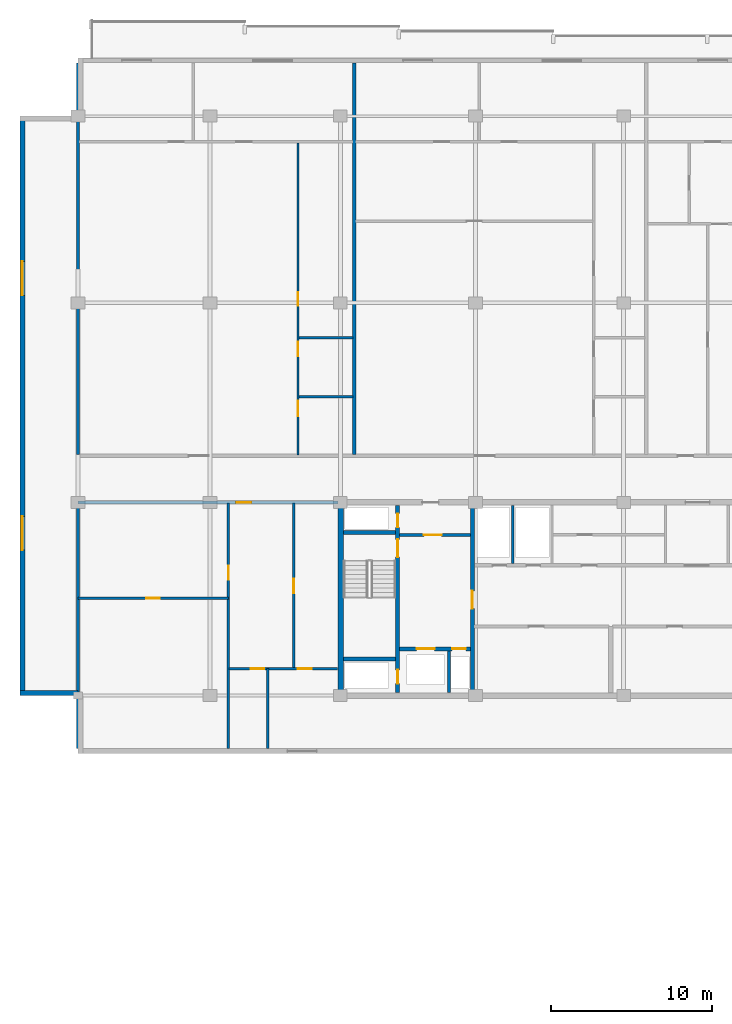
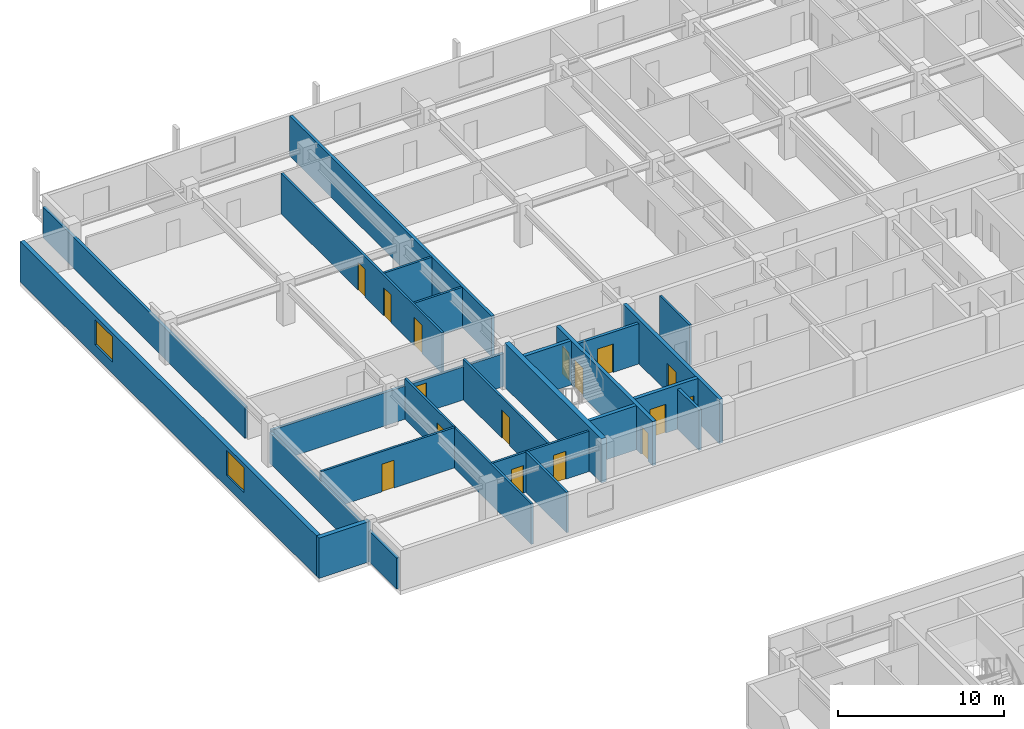
# One storey, part 10 of 21: 23 walls, 16 doors, 2 windows, 18 openings.
"""IFC4 building model written with IfcOpenShell, lengths in metres."""

from ifc_helpers import new_model, si_unit, direction, frame, frame_2d, origin, place, context, subcontext, project, spatial, rectangle, extrude, material, layer, layer_set, type_object, element, fill, save


model = new_model("IFC4")

# Units and contexts
model_context = context("Model", 3, precision=1e-05, world=origin(), true_north=direction((0.0, 1.0)))
body_context = subcontext(model_context, "Body", "Model", "MODEL_VIEW")
ifc_project = project(units=[si_unit("LENGTHUNIT", "METRE"), si_unit("AREAUNIT", "SQUARE_METRE"), si_unit("VOLUMEUNIT", "CUBIC_METRE"), si_unit("PLANEANGLEUNIT", "RADIAN"), si_unit("MASSUNIT", "GRAM", prefix="KILO")], contexts=[model_context])

# Site, building, storey
site_placement = place(None, origin())
site = spatial("IfcSite", under=ifc_project, at=site_placement, CompositionType="ELEMENT")
building_placement = place(site_placement, origin())
building = spatial("IfcBuilding", under=site, at=building_placement, Name="Korimba Cascade Residences", CompositionType="ELEMENT")
storey_placement = place(building_placement, frame((0.0, 0.0, 184.85009765625)))
storey = spatial("IfcBuildingStorey", under=building, at=storey_placement, Name="L53", CompositionType="ELEMENT", Elevation=184.85009765625)

# Wall, openings, windows
ifc_material_1 = material(Name="Precast concrete C40/50", Category="concrete")
ifc_layer_1 = layer(ifc_material_1, 0.300048828125)
ifc_layer_set_1 = layer_set([ifc_layer_1], Name="Precast concrete C40/50")
wall_type_1 = type_object("IfcWallType", Name="EW-STONE-300", PredefinedType="STANDARD", material=ifc_layer_set_1)
wall_1_placement = place(storey_placement, frame((56.35009765625, 91.199951171875, 0.0), z_axis=(0.0, 0.0, 1.0), x_axis=(0.0, -1.0, 0.0)))
wall_1 = element("IfcWall", 1, at=wall_1_placement, inside=storey, type_object=wall_type_1, Name="L53 T1 Perimeter Stone Wall E09", PredefinedType="STANDARD", context=body_context, shape_type="SweptSolid", body=[
    extrude(rectangle(XDim=36.0, YDim=0.300048828125, at=frame_2d((18.0, 0.0))), origin(), (0.0, 0.0, 1.0), 2.969970703125),
])
opening_1_placement = place(wall_1_placement, frame((9.030029296875, 0.0, 0.85009765625)))
opening_1 = element("IfcOpeningElement", 2, at=opening_1_placement, cuts=wall_1, Name="Opening W-03", PredefinedType="OPENING", context=body_context, shape_type="SweptSolid", body=[
    extrude(rectangle(XDim=2.10009765625, YDim=1.85009765625, at=frame_2d((1.050048828125, 0.925048828125))), frame((0.0, 0.16015625, 0.0), z_axis=(0.0, -1.0, 0.0), x_axis=(1.0, 0.0, 0.0)), (0.0, 0.0, 1.0), 0.320068359375),
])
opening_2_placement = place(wall_1_placement, frame((24.8701171875, 0.0, 0.85009765625)))
opening_2 = element("IfcOpeningElement", 3, at=opening_2_placement, cuts=wall_1, Name="Opening W-03", PredefinedType="OPENING", context=body_context, shape_type="SweptSolid", body=[
    extrude(rectangle(XDim=2.10009765625, YDim=1.85009765625, at=frame_2d((1.050048828125, 0.925048828125))), frame((0.0, 0.16015625, 0.0), z_axis=(0.0, -1.0, 0.0), x_axis=(1.0, 0.0, 0.0)), (0.0, 0.0, 1.0), 0.320068359375),
])
ifc_material_2 = material(Name="Double-Glazed Aluminium Window", Category="aluminium")
window_type = type_object("IfcWindowType", Name="WIN-CRN-2100", PartitioningType="DOUBLE_PANEL_HORIZONTAL", PredefinedType="WINDOW", material=ifc_material_2)
window_1_placement = place(opening_1_placement, origin())
window_1 = element("IfcWindow", 4, at=window_1_placement, inside=storey, type_object=window_type, Name="L53 T1 End View Window 9.1", OverallHeight=1.85009765625, OverallWidth=2.10009765625, PartitioningType="DOUBLE_PANEL_HORIZONTAL", PredefinedType="WINDOW", context=body_context, shape_type="SweptSolid", body=[
    extrude(rectangle(XDim=2.10009765625, YDim=1.85009765625, at=frame_2d((1.050048828125, 0.925048828125))), frame((0.0, 0.030029296875, 0.0), z_axis=(0.0, -1.0, 0.0), x_axis=(1.0, 0.0, 0.0)), (0.0, 0.0, 1.0), 0.06005859375),
])
fill(opening_1, window_1)
window_2_placement = place(opening_2_placement, origin())
window_2 = element("IfcWindow", 5, at=window_2_placement, inside=storey, type_object=window_type, Name="L53 T1 End View Window 9.2", OverallHeight=1.85009765625, OverallWidth=2.10009765625, PartitioningType="DOUBLE_PANEL_HORIZONTAL", PredefinedType="WINDOW", context=body_context, shape_type="SweptSolid", body=[
    extrude(rectangle(XDim=2.10009765625, YDim=1.85009765625, at=frame_2d((1.050048828125, 0.925048828125))), frame((0.0, 0.030029296875, 0.0), z_axis=(0.0, -1.0, 0.0), x_axis=(1.0, 0.0, 0.0)), (0.0, 0.0, 1.0), 0.06005859375),
])
fill(opening_2, window_2)

# Walls
wall_2_placement = place(storey_placement, frame((56.199951171875, 55.35009765625, 0.0), z_axis=(0.0, 0.0, 1.0), x_axis=(1.0, 0.0, 0.0)))
element("IfcWall", 6, at=wall_2_placement, inside=storey, type_object=wall_type_1, Name="L53 T1 Perimeter Stone Wall E10", PredefinedType="STANDARD", context=body_context, shape_type="SweptSolid", body=[
    extrude(rectangle(XDim=3.60009765625, YDim=0.300048828125, at=frame_2d((1.800048828125, 0.0))), origin(), (0.0, 0.0, 1.0), 2.969970703125),
])
ifc_material_3 = material(Name="Concrete C65/80", Category="concrete")
ifc_layer_2 = layer(ifc_material_3, 0.35009765625)
ifc_layer_set_2 = layer_set([ifc_layer_2], Name="Concrete C65/80")
wall_type_2 = type_object("IfcWallType", Name="WAL-CORE-350", PredefinedType="SHEAR", material=ifc_layer_set_2)
wall_3_placement = place(storey_placement, frame((76.125, 55.375, 0.0), z_axis=(0.0, 0.0, 1.0), x_axis=(0.0, 1.0, 0.0)))
element("IfcWall", 7, at=wall_3_placement, inside=storey, type_object=wall_type_2, Name="L53 Core Shear Wall CW-L53-T1-W", PredefinedType="SHEAR", context=body_context, shape_type="SweptSolid", body=[
    extrude(rectangle(XDim=11.64990234375, YDim=0.35009765625, at=frame_2d((5.824951171875, 0.0))), origin(), (0.0, 0.0, 1.0), 3.25),
])
ifc_layer_3 = layer(ifc_material_1, 0.199951171875)
ifc_layer_set_3 = layer_set([ifc_layer_3], Name="Precast concrete C40/50")
wall_type_3 = type_object("IfcWallType", Name="WAL-IT-200", PredefinedType="PARTITIONING", material=ifc_layer_set_3)
wall_4_placement = place(storey_placement, frame((59.800048828125, 51.89990234375, 0.0), z_axis=(0.0, 0.0, 1.0), x_axis=(0.0, 1.0, 0.0)))
element("IfcWall", 8, at=wall_4_placement, inside=storey, type_object=wall_type_3, Name="L53 Partition Wall WAL-L53-T1-FW-WL", PredefinedType="PARTITIONING", context=body_context, shape_type="SweptSolid", body=[
    extrude(rectangle(XDim=15.300048828125, YDim=0.199951171875, at=frame_2d((7.64990234375, 0.0))), origin(), (0.0, 0.0, 1.0), 2.277099609375),
])

# Wall, opening, door
wall_5_placement = place(storey_placement, frame((59.800048828125, 67.199951171875, 0.0), z_axis=(0.0, 0.0, 1.0), x_axis=(1.0, 0.0, 0.0)))
wall_5 = element("IfcWall", 9, at=wall_5_placement, inside=storey, type_object=wall_type_3, Name="L53 Partition Wall WAL-L53-T1-FW-N", PredefinedType="PARTITIONING", context=body_context, shape_type="SweptSolid", body=[
    extrude(rectangle(XDim=16.14990234375, YDim=0.199951171875, at=frame_2d((8.074951171875, 0.0))), origin(), (0.0, 0.0, 1.0), 2.43310546875),
])
opening_3_placement = place(wall_5_placement, frame((9.823486328125, 0.0, 0.0)))
opening_3 = element("IfcOpeningElement", 10, at=opening_3_placement, cuts=wall_5, Name="Opening D-UN1", PredefinedType="OPENING", context=body_context, shape_type="SweptSolid", body=[
    extrude(rectangle(XDim=0.949951171875, YDim=2.14990234375, at=frame_2d((0.47509765625, 1.074951171875))), frame((0.0, 0.10986328125, 0.0), z_axis=(0.0, -1.0, 0.0), x_axis=(1.0, 0.0, 0.0)), (0.0, 0.0, 1.0), 0.219970703125),
])
ifc_material_4 = material(Name="Fire-Rated Hardwood Apartment Entrance Door", Category="wood")
door_type_1 = type_object("IfcDoorType", Name="DR-FD60-950", OperationType="NOTDEFINED", PredefinedType="DOOR", material=ifc_material_4)
door_1_placement = place(opening_3_placement, origin())
door_1 = element("IfcDoor", 11, at=door_1_placement, inside=storey, type_object=door_type_1, Name="L53-T1-FW Entrance Door", OperationType="SINGLE_SWING_LEFT", OverallHeight=2.14990234375, OverallWidth=0.949951171875, PredefinedType="DOOR", context=body_context, shape_type="SweptSolid", body=[
    extrude(rectangle(XDim=0.949951171875, YDim=2.14990234375, at=frame_2d((0.47509765625, 1.074951171875))), frame((0.0, 0.02490234375, 0.0), z_axis=(0.0, -1.0, 0.0), x_axis=(1.0, 0.0, 0.0)), (0.0, 0.0, 1.0), 0.050048828125),
])
fill(opening_3, door_1)

# Walls
wall_6_placement = place(storey_placement, frame((59.800048828125, 70.179931640625, 0.0), z_axis=(0.0, 0.0, 1.0), x_axis=(0.0, 1.0, 0.0)))
element("IfcWall", 12, at=wall_6_placement, inside=storey, type_object=wall_type_3, Name="L53 Partition Wall WAL-L53-T1-BNDWL", PredefinedType="PARTITIONING", context=body_context, shape_type="SweptSolid", body=[
    extrude(rectangle(XDim=24.320068359375, YDim=0.199951171875, at=frame_2d((12.16015625, 0.0))), origin(), (0.0, 0.0, 1.0), 2.277099609375),
])
wall_7_placement = place(storey_placement, frame((76.96826171875, 70.179931640625, 0.0), z_axis=(0.0, 0.0, 1.0), x_axis=(0.0, 1.0, 0.0)))
element("IfcWall", 13, at=wall_7_placement, inside=storey, type_object=wall_type_3, Name="L53 Partition Wall WAL-L53-T1-DEM-1", PredefinedType="PARTITIONING", context=body_context, shape_type="SweptSolid", body=[
    extrude(rectangle(XDim=24.320068359375, YDim=0.199951171875, at=frame_2d((12.16015625, 0.0))), origin(), (0.0, 0.0, 1.0), 2.969970703125),
])
ifc_material_5 = material(Name="Insulated Acoustic Stud Partition", Category="gypsum")
ifc_layer_4 = layer(ifc_material_5, 0.14990234375)
ifc_layer_set_4 = layer_set([ifc_layer_4], Name="Insulated Acoustic Stud Partition")
wall_type_4 = type_object("IfcWallType", Name="WAL-PART-150", PredefinedType="PARTITIONING", material=ifc_layer_set_4)
wall_8_placement = place(storey_placement, frame((86.800048828125, 63.39990234375, 0.0), z_axis=(0.0, 0.0, 1.0), x_axis=(0.0, 1.0, 0.0)))
element("IfcWall", 14, at=wall_8_placement, inside=storey, type_object=wall_type_4, Name="L53 Partition Wall CW-L53-T1-ERDIV", PredefinedType="PARTITIONING", context=body_context, shape_type="SweptSolid", body=[
    extrude(rectangle(XDim=3.60009765625, YDim=0.14990234375, at=frame_2d((1.800048828125, 0.0))), origin(), (0.0, 0.0, 1.0), 2.969970703125),
])

# Wall, opening, door
wall_9_placement = place(storey_placement, frame((59.800048828125, 61.25, 0.0), z_axis=(0.0, 0.0, 1.0), x_axis=(1.0, 0.0, 0.0)))
wall_9 = element("IfcWall", 15, at=wall_9_placement, inside=storey, type_object=wall_type_4, Name="L53 Partition Wall WAL-L53-T1-FW-STH", PredefinedType="PARTITIONING", context=body_context, shape_type="SweptSolid", body=[
    extrude(rectangle(XDim=9.349853515625, YDim=0.14990234375, at=frame_2d((4.6748046875, 0.0))), origin(), (0.0, 0.0, 1.0), 2.969970703125),
])
opening_4_placement = place(wall_9_placement, frame((4.2548828125, 0.0, 0.0)))
opening_4 = element("IfcOpeningElement", 16, at=opening_4_placement, cuts=wall_9, Name="Opening D-BT1", PredefinedType="OPENING", context=body_context, shape_type="SweptSolid", body=[
    extrude(rectangle(XDim=0.840087890625, YDim=2.0400390625, at=frame_2d((0.419921875, 1.02001953125))), frame((0.0, 0.0849609375, 0.0), z_axis=(0.0, -1.0, 0.0), x_axis=(1.0, 0.0, 0.0)), (0.0, 0.0, 1.0), 0.169921875),
])
ifc_material_6 = material(Name="Moisture-Resistant Bathroom Timber Door", Category="wood")
door_type_2 = type_object("IfcDoorType", Name="DR-INT-850", OperationType="NOTDEFINED", PredefinedType="DOOR", material=ifc_material_6)
door_2_placement = place(opening_4_placement, origin())
door_2 = element("IfcDoor", 17, at=door_2_placement, inside=storey, type_object=door_type_2, Name="L53-T1-FW Dressing Store Door", OperationType="SINGLE_SWING_RIGHT", OverallHeight=2.0400390625, OverallWidth=0.840087890625, PredefinedType="DOOR", context=body_context, shape_type="SweptSolid", body=[
    extrude(rectangle(XDim=0.840087890625, YDim=2.0400390625, at=frame_2d((0.419921875, 1.02001953125))), frame((0.0, 0.02490234375, 0.0), z_axis=(0.0, -1.0, 0.0), x_axis=(1.0, 0.0, 0.0)), (0.0, 0.0, 1.0), 0.050048828125),
])
fill(opening_4, door_2)

wall_10_placement = place(storey_placement, frame((69.14990234375, 51.89990234375, 0.0), z_axis=(0.0, 0.0, 1.0), x_axis=(0.0, 1.0, 0.0)))
wall_10 = element("IfcWall", 18, at=wall_10_placement, inside=storey, type_object=wall_type_4, Name="L53 Partition Wall WAL-L53-T1-FW-STV", PredefinedType="PARTITIONING", context=body_context, shape_type="SweptSolid", body=[
    extrude(rectangle(XDim=15.25, YDim=0.14990234375, at=frame_2d((7.625, 0.0))), origin(), (0.0, 0.0, 1.0), 2.969970703125),
])
opening_5_placement = place(wall_10_placement, frame((10.5, 0.0, 0.0)))
opening_5 = element("IfcOpeningElement", 19, at=opening_5_placement, cuts=wall_10, Name="Opening D-IN2", PredefinedType="OPENING", context=body_context, shape_type="SweptSolid", body=[
    extrude(rectangle(XDim=0.8798828125, YDim=2.06005859375, at=frame_2d((0.43994140625, 1.030029296875))), frame((0.0, 0.0849609375, 0.0), z_axis=(0.0, -1.0, 0.0), x_axis=(1.0, 0.0, 0.0)), (0.0, 0.0, 1.0), 0.169921875),
])
ifc_material_7 = material(Name="Acoustic Timber Bedroom Door", Category="wood")
door_type_3 = type_object("IfcDoorType", Name="DR-INT-880", OperationType="NOTDEFINED", PredefinedType="DOOR", material=ifc_material_7)
door_3_placement = place(opening_5_placement, origin())
door_3 = element("IfcDoor", 20, at=door_3_placement, inside=storey, type_object=door_type_3, Name="L53-T1-FW Study Door", OperationType="SINGLE_SWING_LEFT", OverallHeight=2.06005859375, OverallWidth=0.8798828125, PredefinedType="DOOR", context=body_context, shape_type="SweptSolid", body=[
    extrude(rectangle(XDim=0.8798828125, YDim=2.06005859375, at=frame_2d((0.43994140625, 1.030029296875))), frame((0.0, 0.02490234375, 0.0), z_axis=(0.0, -1.0, 0.0), x_axis=(1.0, 0.0, 0.0)), (0.0, 0.0, 1.0), 0.050048828125),
])
fill(opening_5, door_3)

wall_11_placement = place(storey_placement, frame((73.199951171875, 56.8701171875, 0.0), z_axis=(0.0, 0.0, 1.0), x_axis=(0.0, 1.0, 0.0)))
wall_11 = element("IfcWall", 21, at=wall_11_placement, inside=storey, type_object=wall_type_4, Name="L53 Partition Wall WAL-L53-T1-FW-VN", PredefinedType="PARTITIONING", context=body_context, shape_type="SweptSolid", body=[
    extrude(rectangle(XDim=10.27978515625, YDim=0.14990234375, at=frame_2d((5.139892578125, 0.0))), origin(), (0.0, 0.0, 1.0), 2.969970703125),
])
opening_6_placement = place(wall_11_placement, frame((4.679931640625, 0.0, 0.0)))
opening_6 = element("IfcOpeningElement", 22, at=opening_6_placement, cuts=wall_11, Name="Opening D-IN1", PredefinedType="OPENING", context=body_context, shape_type="SweptSolid", body=[
    extrude(rectangle(XDim=0.919921875, YDim=2.080078125, at=frame_2d((0.4599609375, 1.0400390625))), frame((0.0, 0.0849609375, 0.0), z_axis=(0.0, -1.0, 0.0), x_axis=(1.0, 0.0, 0.0)), (0.0, 0.0, 1.0), 0.169921875),
])
ifc_material_8 = material(Name="Acoustic Timber Living Door", Category="wood")
door_type_4 = type_object("IfcDoorType", Name="DR-INT-920", OperationType="NOTDEFINED", PredefinedType="DOOR", material=ifc_material_8)
door_4_placement = place(opening_6_placement, origin())
door_4 = element("IfcDoor", 23, at=door_4_placement, inside=storey, type_object=door_type_4, Name="L53-T1-FW Living Door", OperationType="SINGLE_SWING_RIGHT", OverallHeight=2.080078125, OverallWidth=0.919921875, PredefinedType="DOOR", context=body_context, shape_type="SweptSolid", body=[
    extrude(rectangle(XDim=0.919921875, YDim=2.080078125, at=frame_2d((0.4599609375, 1.0400390625))), frame((0.0, 0.02490234375, 0.0), z_axis=(0.0, -1.0, 0.0), x_axis=(1.0, 0.0, 0.0)), (0.0, 0.0, 1.0), 0.050048828125),
])
fill(opening_6, door_4)

# Wall
wall_12_placement = place(storey_placement, frame((71.60009765625, 51.89990234375, 0.0), z_axis=(0.0, 0.0, 1.0), x_axis=(0.0, 1.0, 0.0)))
element("IfcWall", 24, at=wall_12_placement, inside=storey, type_object=wall_type_4, Name="L53 Partition Wall WAL-L53-T1-FW-VS", PredefinedType="PARTITIONING", context=body_context, shape_type="SweptSolid", body=[
    extrude(rectangle(XDim=4.97021484375, YDim=0.14990234375, at=frame_2d((2.485107421875, 0.0))), origin(), (0.0, 0.0, 1.0), 2.969970703125),
])

# Wall, openings, doors
wall_13_placement = place(storey_placement, frame((69.169921875, 56.8701171875, 0.0), z_axis=(0.0, 0.0, 1.0), x_axis=(1.0, 0.0, 0.0)))
wall_13 = element("IfcWall", 25, at=wall_13_placement, inside=storey, type_object=wall_type_4, Name="L53 Partition Wall WAL-L53-T1-FW-H", PredefinedType="PARTITIONING", context=body_context, shape_type="SweptSolid", body=[
    extrude(rectangle(XDim=6.760009765625, YDim=0.14990234375, at=frame_2d((3.3798828125, 0.0))), origin(), (0.0, 0.0, 1.0), 2.969970703125),
])
opening_7_placement = place(wall_13_placement, frame((1.3623046875, 0.0, 0.0)))
opening_7 = element("IfcOpeningElement", 26, at=opening_7_placement, cuts=wall_13, Name="Opening D-BT1", PredefinedType="OPENING", context=body_context, shape_type="SweptSolid", body=[
    extrude(rectangle(XDim=0.840087890625, YDim=2.0400390625, at=frame_2d((0.419921875, 1.02001953125))), frame((0.0, 0.0849609375, 0.0), z_axis=(0.0, -1.0, 0.0), x_axis=(1.0, 0.0, 0.0)), (0.0, 0.0, 1.0), 0.169921875),
])
opening_8_placement = place(wall_13_placement, frame((4.276611328125, 0.0, 0.0)))
opening_8 = element("IfcOpeningElement", 27, at=opening_8_placement, cuts=wall_13, Name="Opening D-IN2", PredefinedType="OPENING", context=body_context, shape_type="SweptSolid", body=[
    extrude(rectangle(XDim=0.8798828125, YDim=2.06005859375, at=frame_2d((0.43994140625, 1.030029296875))), frame((0.0, 0.0849609375, 0.0), z_axis=(0.0, -1.0, 0.0), x_axis=(1.0, 0.0, 0.0)), (0.0, 0.0, 1.0), 0.169921875),
])
door_5_placement = place(opening_7_placement, origin())
door_5 = element("IfcDoor", 28, at=door_5_placement, inside=storey, type_object=door_type_2, Name="L53-T1-FW Bathroom Door", OperationType="SINGLE_SWING_LEFT", OverallHeight=2.0400390625, OverallWidth=0.840087890625, PredefinedType="DOOR", context=body_context, shape_type="SweptSolid", body=[
    extrude(rectangle(XDim=0.840087890625, YDim=2.0400390625, at=frame_2d((0.419921875, 1.02001953125))), frame((0.0, 0.02490234375, 0.0), z_axis=(0.0, -1.0, 0.0), x_axis=(1.0, 0.0, 0.0)), (0.0, 0.0, 1.0), 0.050048828125),
])
fill(opening_7, door_5)
door_6_placement = place(opening_8_placement, origin())
door_6 = element("IfcDoor", 29, at=door_6_placement, inside=storey, type_object=door_type_3, Name="L53-T1-FW Bedroom Door", OperationType="SINGLE_SWING_RIGHT", OverallHeight=2.06005859375, OverallWidth=0.8798828125, PredefinedType="DOOR", context=body_context, shape_type="SweptSolid", body=[
    extrude(rectangle(XDim=0.8798828125, YDim=2.06005859375, at=frame_2d((0.43994140625, 1.030029296875))), frame((0.0, 0.02490234375, 0.0), z_axis=(0.0, -1.0, 0.0), x_axis=(1.0, 0.0, 0.0)), (0.0, 0.0, 1.0), 0.050048828125),
])
fill(opening_8, door_6)

# Walls
for number, where, z_axis, x_axis, name in (
    (30, (73.5283203125, 73.77001953125, 0.0), (0.0, 0.0, 1.0), (1.0, 0.0, 0.0), "L53 Partition Wall WAL-L53-T1-U01-WCH"),
    (31, (73.5283203125, 77.419921875, 0.0), (0.0, 0.0, 1.0), (1.0, 0.0, 0.0), "L53 Partition Wall WAL-L53-T1-U01-WCH2"),
):
    element("IfcWall", number, at=place(storey_placement, frame(where, z_axis=z_axis, x_axis=x_axis)), inside=storey, type_object=wall_type_4, Name=name, PredefinedType="PARTITIONING", context=body_context, shape_type="SweptSolid", body=[
        extrude(rectangle(XDim=3.35986328125, YDim=0.14990234375, at=frame_2d((1.679931640625, 0.0))), origin(), (0.0, 0.0, 1.0), 2.969970703125),
    ])

# Wall, openings, doors
wall_14_placement = place(storey_placement, frame((73.46826171875, 70.159912109375, 0.0), z_axis=(0.0, 0.0, 1.0), x_axis=(0.0, 1.0, 0.0)))
wall_14 = element("IfcWall", 32, at=wall_14_placement, inside=storey, type_object=wall_type_4, Name="L53 Partition Wall WAL-L53-T1-U01-WCV", PredefinedType="PARTITIONING", context=body_context, shape_type="SweptSolid", body=[
    extrude(rectangle(XDim=19.380126953125, YDim=0.14990234375, at=frame_2d((9.68994140625, 0.0))), origin(), (0.0, 0.0, 1.0), 2.969970703125),
])
opening_9_placement = place(wall_14_placement, frame((2.406005859375, 0.0, 0.0)))
opening_9 = element("IfcOpeningElement", 33, at=opening_9_placement, cuts=wall_14, Name="Opening D-AC1", PredefinedType="OPENING", context=body_context, shape_type="SweptSolid", body=[
    extrude(rectangle(XDim=0.9599609375, YDim=2.10009765625, at=frame_2d((0.47998046875, 1.050048828125))), frame((0.0, 0.0849609375, 0.0), z_axis=(0.0, -1.0, 0.0), x_axis=(1.0, 0.0, 0.0)), (0.0, 0.0, 1.0), 0.169921875),
])
opening_10_placement = place(wall_14_placement, frame((6.132568359375, 0.0, 0.0)))
opening_10 = element("IfcOpeningElement", 34, at=opening_10_placement, cuts=wall_14, Name="Opening D-IN2", PredefinedType="OPENING", context=body_context, shape_type="SweptSolid", body=[
    extrude(rectangle(XDim=0.8798828125, YDim=2.06005859375, at=frame_2d((0.43994140625, 1.030029296875))), frame((0.0, 0.0849609375, 0.0), z_axis=(0.0, -1.0, 0.0), x_axis=(1.0, 0.0, 0.0)), (0.0, 0.0, 1.0), 0.169921875),
])
opening_11_placement = place(wall_14_placement, frame((9.27001953125, 0.0, 0.0)))
opening_11 = element("IfcOpeningElement", 35, at=opening_11_placement, cuts=wall_14, Name="Opening D-BT1", PredefinedType="OPENING", context=body_context, shape_type="SweptSolid", body=[
    extrude(rectangle(XDim=0.840087890625, YDim=2.0400390625, at=frame_2d((0.419921875, 1.02001953125))), frame((0.0, 0.0849609375, 0.0), z_axis=(0.0, -1.0, 0.0), x_axis=(1.0, 0.0, 0.0)), (0.0, 0.0, 1.0), 0.169921875),
])
ifc_material_9 = material(Name="Accessible Acoustic Timber WC Door", Category="wood")
door_type_5 = type_object("IfcDoorType", Name="DR-ACC-950", OperationType="NOTDEFINED", PredefinedType="DOOR", material=ifc_material_9)
door_7_placement = place(opening_9_placement, origin())
door_7 = element("IfcDoor", 36, at=door_7_placement, inside=storey, type_object=door_type_5, Name="L53-T1-U01 Accessible WC Door", OperationType="SINGLE_SWING_RIGHT", OverallHeight=2.10009765625, OverallWidth=0.9599609375, PredefinedType="DOOR", context=body_context, shape_type="SweptSolid", body=[
    extrude(rectangle(XDim=0.9599609375, YDim=2.10009765625, at=frame_2d((0.47998046875, 1.050048828125))), frame((0.0, 0.02490234375, 0.0), z_axis=(0.0, -1.0, 0.0), x_axis=(1.0, 0.0, 0.0)), (0.0, 0.0, 1.0), 0.050048828125),
])
fill(opening_9, door_7)
door_8_placement = place(opening_11_placement, origin())
door_8 = element("IfcDoor", 37, at=door_8_placement, inside=storey, type_object=door_type_2, Name="L53-T1-U01 Suite Store Door", OperationType="SINGLE_SWING_RIGHT", OverallHeight=2.0400390625, OverallWidth=0.840087890625, PredefinedType="DOOR", context=body_context, shape_type="SweptSolid", body=[
    extrude(rectangle(XDim=0.840087890625, YDim=2.0400390625, at=frame_2d((0.419921875, 1.02001953125))), frame((0.0, 0.02490234375, 0.0), z_axis=(0.0, -1.0, 0.0), x_axis=(1.0, 0.0, 0.0)), (0.0, 0.0, 1.0), 0.050048828125),
])
fill(opening_11, door_8)
door_9_placement = place(opening_10_placement, origin())
door_9 = element("IfcDoor", 38, at=door_9_placement, inside=storey, type_object=door_type_3, Name="L53-T1-U01 Restroom WC Door", OperationType="SINGLE_SWING_LEFT", OverallHeight=2.06005859375, OverallWidth=0.8798828125, PredefinedType="DOOR", context=body_context, shape_type="SweptSolid", body=[
    extrude(rectangle(XDim=0.8798828125, YDim=2.06005859375, at=frame_2d((0.43994140625, 1.030029296875))), frame((0.0, 0.02490234375, 0.0), z_axis=(0.0, -1.0, 0.0), x_axis=(1.0, 0.0, 0.0)), (0.0, 0.0, 1.0), 0.050048828125),
])
fill(opening_10, door_9)

# Wall
ifc_material_10 = material(Name="Concrete C40/50", Category="concrete")
ifc_layer_5 = layer(ifc_material_10, 0.199951171875)
ifc_layer_set_5 = layer_set([ifc_layer_5], Name="Concrete C40/50")
wall_type_5 = type_object("IfcWallType", Name="WAL-PART-200", PredefinedType="PARTITIONING", material=ifc_layer_set_5)
wall_15_placement = place(storey_placement, frame((82.85009765625, 55.39990234375, 0.0), z_axis=(0.0, 0.0, 1.0), x_axis=(0.0, 1.0, 0.0)))
element("IfcWall", 39, at=wall_15_placement, inside=storey, type_object=wall_type_5, Name="L53 Partition Wall CW-L53-T1-FFLDIV", PredefinedType="PARTITIONING", context=body_context, shape_type="SweptSolid", body=[
    extrude(rectangle(XDim=2.56005859375, YDim=0.199951171875, at=frame_2d((1.280029296875, 0.0))), origin(), (0.0, 0.0, 1.0), 2.969970703125),
])

# Wall, opening, door
wall_16_placement = place(storey_placement, frame((79.7900390625, 65.179931640625, 0.0), z_axis=(0.0, 0.0, 1.0), x_axis=(1.0, 0.0, 0.0)))
wall_16 = element("IfcWall", 40, at=wall_16_placement, inside=storey, type_object=wall_type_5, Name="L53 Partition Wall CW-L53-T1-FFLN", PredefinedType="PARTITIONING", context=body_context, shape_type="SweptSolid", body=[
    extrude(rectangle(XDim=4.389892578125, YDim=0.199951171875, at=frame_2d((2.19482421875, 0.0))), origin(), (0.0, 0.0, 1.0), 2.969970703125),
])
opening_12_placement = place(wall_16_placement, frame((1.5, 0.0, 0.0)))
opening_12 = element("IfcOpeningElement", 41, at=opening_12_placement, cuts=wall_16, Name="Opening D-FD1", PredefinedType="OPENING", context=body_context, shape_type="SweptSolid", body=[
    extrude(rectangle(XDim=1.10009765625, YDim=2.10009765625, at=frame_2d((0.550048828125, 1.050048828125))), frame((0.0, 0.10986328125, 0.0), z_axis=(0.0, -1.0, 0.0), x_axis=(1.0, 0.0, 0.0)), (0.0, 0.0, 1.0), 0.219970703125),
])
ifc_material_11 = material(Name="Fire-Rated Steel Core Door", Category="steel")
door_type_6 = type_object("IfcDoorType", Name="DR-FD120-1100", OperationType="NOTDEFINED", PredefinedType="DOOR", material=ifc_material_11)
door_10_placement = place(opening_12_placement, origin())
door_10 = element("IfcDoor", 42, at=door_10_placement, inside=storey, type_object=door_type_6, Name="L53 West Firefighting Lobby Door", OperationType="SINGLE_SWING_LEFT", OverallHeight=2.10009765625, OverallWidth=1.10009765625, PredefinedType="DOOR", context=body_context, shape_type="SweptSolid", body=[
    extrude(rectangle(XDim=1.10009765625, YDim=2.10009765625, at=frame_2d((0.550048828125, 1.050048828125))), frame((0.0, 0.02490234375, 0.0), z_axis=(0.0, -1.0, 0.0), x_axis=(1.0, 0.0, 0.0)), (0.0, 0.0, 1.0), 0.050048828125),
])
fill(opening_12, door_10)

# Wall, openings, doors
ifc_material_12 = material(Name="Concrete C50/60", Category="concrete")
ifc_layer_6 = layer(ifc_material_12, 0.25)
ifc_layer_set_6 = layer_set([ifc_layer_6], Name="Concrete C50/60")
wall_type_6 = type_object("IfcWallType", Name="WAL-SHAFT-250", PredefinedType="SHEAR", material=ifc_layer_set_6)
wall_17_placement = place(storey_placement, frame((79.6650390625, 55.39990234375, 0.0), z_axis=(0.0, 0.0, 1.0), x_axis=(0.0, 1.0, 0.0)))
wall_17 = element("IfcWall", 43, at=wall_17_placement, inside=storey, type_object=wall_type_6, Name="L53 Core Shear Wall CW-L53-T1-STW1E", PredefinedType="SHEAR", context=body_context, shape_type="SweptSolid", body=[
    extrude(rectangle(XDim=11.60009765625, YDim=0.25, at=frame_2d((5.800048828125, 0.0))), origin(), (0.0, 0.0, 1.0), 3.25),
])
opening_13_placement = place(wall_17_placement, frame((0.550048828125, 0.0, 0.0)))
opening_13 = element("IfcOpeningElement", 44, at=opening_13_placement, cuts=wall_17, Name="Opening D-RS1", PredefinedType="OPENING", context=body_context, shape_type="SweptSolid", body=[
    extrude(rectangle(XDim=0.85009765625, YDim=2.050048828125, at=frame_2d((0.425048828125, 1.02490234375))), frame((0.0, 0.135009765625, 0.0), z_axis=(0.0, -1.0, 0.0), x_axis=(1.0, 0.0, 0.0)), (0.0, 0.0, 1.0), 0.27001953125),
])
opening_14_placement = place(wall_17_placement, frame((8.39990234375, 0.0, 0.0)))
opening_14 = element("IfcOpeningElement", 45, at=opening_14_placement, cuts=wall_17, Name="Opening D-FD1", PredefinedType="OPENING", context=body_context, shape_type="SweptSolid", body=[
    extrude(rectangle(XDim=1.10009765625, YDim=2.10009765625, at=frame_2d((0.550048828125, 1.050048828125))), frame((0.0, 0.135009765625, 0.0), z_axis=(0.0, -1.0, 0.0), x_axis=(1.0, 0.0, 0.0)), (0.0, 0.0, 1.0), 0.27001953125),
])
opening_15_placement = place(wall_17_placement, frame((10.25, 0.0, 0.0)))
opening_15 = element("IfcOpeningElement", 46, at=opening_15_placement, cuts=wall_17, Name="Opening D-RS1", PredefinedType="OPENING", context=body_context, shape_type="SweptSolid", body=[
    extrude(rectangle(XDim=0.85009765625, YDim=2.050048828125, at=frame_2d((0.425048828125, 1.02490234375))), frame((0.0, 0.135009765625, 0.0), z_axis=(0.0, -1.0, 0.0), x_axis=(1.0, 0.0, 0.0)), (0.0, 0.0, 1.0), 0.27001953125),
])
door_11_placement = place(opening_14_placement, origin())
door_11 = element("IfcDoor", 47, at=door_11_placement, inside=storey, type_object=door_type_6, Name="L53 Fire Stair ST-W1 Door", OperationType="SINGLE_SWING_RIGHT", OverallHeight=2.10009765625, OverallWidth=1.10009765625, PredefinedType="DOOR", context=body_context, shape_type="SweptSolid", body=[
    extrude(rectangle(XDim=1.10009765625, YDim=2.10009765625, at=frame_2d((0.550048828125, 1.050048828125))), frame((0.0, 0.02490234375, 0.0), z_axis=(0.0, -1.0, 0.0), x_axis=(1.0, 0.0, 0.0)), (0.0, 0.0, 1.0), 0.050048828125),
])
fill(opening_14, door_11)
ifc_material_13 = material(Name="Fire-Rated Steel Riser Access Door", Category="steel")
door_type_7 = type_object("IfcDoorType", Name="DR-FD60-850", OperationType="NOTDEFINED", PredefinedType="DOOR", material=ifc_material_13)
door_12_placement = place(opening_13_placement, origin())
door_12 = element("IfcDoor", 48, at=door_12_placement, inside=storey, type_object=door_type_7, Name="L53 Smoke Riser Access Door", OperationType="SINGLE_SWING_LEFT", OverallHeight=2.050048828125, OverallWidth=0.85009765625, PredefinedType="DOOR", context=body_context, shape_type="SweptSolid", body=[
    extrude(rectangle(XDim=0.85009765625, YDim=2.050048828125, at=frame_2d((0.425048828125, 1.02490234375))), frame((0.0, 0.02490234375, 0.0), z_axis=(0.0, -1.0, 0.0), x_axis=(1.0, 0.0, 0.0)), (0.0, 0.0, 1.0), 0.050048828125),
])
fill(opening_13, door_12)
door_13_placement = place(opening_15_placement, origin())
door_13 = element("IfcDoor", 49, at=door_13_placement, inside=storey, type_object=door_type_7, Name="L53 Hydrant Riser Access Door", OperationType="SINGLE_SWING_LEFT", OverallHeight=2.050048828125, OverallWidth=0.85009765625, PredefinedType="DOOR", context=body_context, shape_type="SweptSolid", body=[
    extrude(rectangle(XDim=0.85009765625, YDim=2.050048828125, at=frame_2d((0.425048828125, 1.02490234375))), frame((0.0, 0.02490234375, 0.0), z_axis=(0.0, -1.0, 0.0), x_axis=(1.0, 0.0, 0.0)), (0.0, 0.0, 1.0), 0.050048828125),
])
fill(opening_15, door_13)

# Walls
for number, where, z_axis, x_axis, name in (
    (50, (76.300048828125, 57.47509765625, 0.0), (0.0, 0.0, 1.0), (1.0, 0.0, 0.0), "L53 Core Shear Wall CW-L53-T1-STW1S"),
    (51, (76.300048828125, 65.324951171875, 0.0), (0.0, 0.0, 1.0), (1.0, 0.0, 0.0), "L53 Core Shear Wall CW-L53-T1-STW1N"),
):
    element("IfcWall", number, at=place(storey_placement, frame(where, z_axis=z_axis, x_axis=x_axis)), inside=storey, type_object=wall_type_6, Name=name, PredefinedType="SHEAR", context=body_context, shape_type="SweptSolid", body=[
        extrude(rectangle(XDim=3.239990234375, YDim=0.25, at=frame_2d((1.6201171875, 0.0))), origin(), (0.0, 0.0, 1.0), 3.25),
    ])

# Wall, openings, doors
wall_18_placement = place(storey_placement, frame((79.7900390625, 58.10009765625, 0.0), z_axis=(0.0, 0.0, 1.0), x_axis=(1.0, 0.0, 0.0)))
wall_18 = element("IfcWall", 52, at=wall_18_placement, inside=storey, type_object=wall_type_6, Name="L53 Core Shear Wall CW-L53-T1-FFLS", PredefinedType="SHEAR", context=body_context, shape_type="SweptSolid", body=[
    extrude(rectangle(XDim=4.389892578125, YDim=0.25, at=frame_2d((2.19482421875, 0.0))), origin(), (0.0, 0.0, 1.0), 3.25),
])
opening_16_placement = place(wall_18_placement, frame((1.050048828125, 0.0, 0.0)))
opening_16 = element("IfcOpeningElement", 53, at=opening_16_placement, cuts=wall_18, Name="Opening LD-01", PredefinedType="OPENING", context=body_context, shape_type="SweptSolid", body=[
    extrude(rectangle(XDim=1.1201171875, YDim=2.1201171875, at=frame_2d((0.56005859375, 1.06005859375))), frame((0.0, 0.135009765625, 0.0), z_axis=(0.0, -1.0, 0.0), x_axis=(1.0, 0.0, 0.0)), (0.0, 0.0, 1.0), 0.27001953125),
])
opening_17_placement = place(wall_18_placement, frame((3.260009765625, 0.0, 0.0)))
opening_17 = element("IfcOpeningElement", 54, at=opening_17_placement, cuts=wall_18, Name="Opening D-RS1", PredefinedType="OPENING", context=body_context, shape_type="SweptSolid", body=[
    extrude(rectangle(XDim=0.85009765625, YDim=2.050048828125, at=frame_2d((0.425048828125, 1.02490234375))), frame((0.0, 0.135009765625, 0.0), z_axis=(0.0, -1.0, 0.0), x_axis=(1.0, 0.0, 0.0)), (0.0, 0.0, 1.0), 0.27001953125),
])
door_14_placement = place(opening_17_placement, origin())
door_14 = element("IfcDoor", 55, at=door_14_placement, inside=storey, type_object=door_type_7, Name="L53 Pressurisation Riser Door", OperationType="SINGLE_SWING_RIGHT", OverallHeight=2.050048828125, OverallWidth=0.85009765625, PredefinedType="DOOR", context=body_context, shape_type="SweptSolid", body=[
    extrude(rectangle(XDim=0.85009765625, YDim=2.050048828125, at=frame_2d((0.425048828125, 1.02490234375))), frame((0.0, 0.02490234375, 0.0), z_axis=(0.0, -1.0, 0.0), x_axis=(1.0, 0.0, 0.0)), (0.0, 0.0, 1.0), 0.050048828125),
])
fill(opening_17, door_14)
ifc_material_14 = material(Name="Stainless Steel Lift Landing Sliding Door", Category="steel")
door_type_8 = type_object("IfcDoorType", Name="DR-LIFT-1100", OperationType="NOTDEFINED", PredefinedType="DOOR", material=ifc_material_14)
door_15_placement = place(opening_16_placement, origin())
door_15 = element("IfcDoor", 56, at=door_15_placement, inside=storey, type_object=door_type_8, Name="L53 Firefighting Lift Landing Door FFL-W1", OperationType="SLIDING_TO_LEFT", OverallHeight=2.1201171875, OverallWidth=1.1201171875, PredefinedType="DOOR", context=body_context, shape_type="SweptSolid", body=[
    extrude(rectangle(XDim=1.1201171875, YDim=2.1201171875, at=frame_2d((0.56005859375, 1.06005859375))), frame((0.0, 0.02490234375, 0.0), z_axis=(0.0, -1.0, 0.0), x_axis=(1.0, 0.0, 0.0)), (0.0, 0.0, 1.0), 0.050048828125),
])
fill(opening_16, door_15)

# Wall, opening, door
wall_19_placement = place(storey_placement, frame((84.300048828125, 55.39990234375, 0.0), z_axis=(0.0, 0.0, 1.0), x_axis=(0.0, 1.0, 0.0)))
wall_19 = element("IfcWall", 57, at=wall_19_placement, inside=storey, type_object=wall_type_6, Name="L53 Core Shear Wall CW-L53-T1-FFLE", PredefinedType="SHEAR", context=body_context, shape_type="SweptSolid", body=[
    extrude(rectangle(XDim=11.60009765625, YDim=0.25, at=frame_2d((5.800048828125, 0.0))), origin(), (0.0, 0.0, 1.0), 3.25),
])
opening_18_placement = place(wall_19_placement, frame((5.199951171875, 0.0, 0.0)))
opening_18 = element("IfcOpeningElement", 58, at=opening_18_placement, cuts=wall_19, Name="Opening D-FD1", PredefinedType="OPENING", context=body_context, shape_type="SweptSolid", body=[
    extrude(rectangle(XDim=1.10009765625, YDim=2.10009765625, at=frame_2d((0.550048828125, 1.050048828125))), frame((0.0, 0.135009765625, 0.0), z_axis=(0.0, -1.0, 0.0), x_axis=(1.0, 0.0, 0.0)), (0.0, 0.0, 1.0), 0.27001953125),
])
door_16_placement = place(opening_18_placement, origin())
door_16 = element("IfcDoor", 59, at=door_16_placement, inside=storey, type_object=door_type_6, Name="L53 Firefighting Lobby to Lift Lobby Door", OperationType="SINGLE_SWING_RIGHT", OverallHeight=2.10009765625, OverallWidth=1.10009765625, PredefinedType="DOOR", context=body_context, shape_type="SweptSolid", body=[
    extrude(rectangle(XDim=1.10009765625, YDim=2.10009765625, at=frame_2d((0.550048828125, 1.050048828125))), frame((0.0, 0.02490234375, 0.0), z_axis=(0.0, -1.0, 0.0), x_axis=(1.0, 0.0, 0.0)), (0.0, 0.0, 1.0), 0.050048828125),
])
fill(opening_18, door_16)

save(model, "model.ifc")
